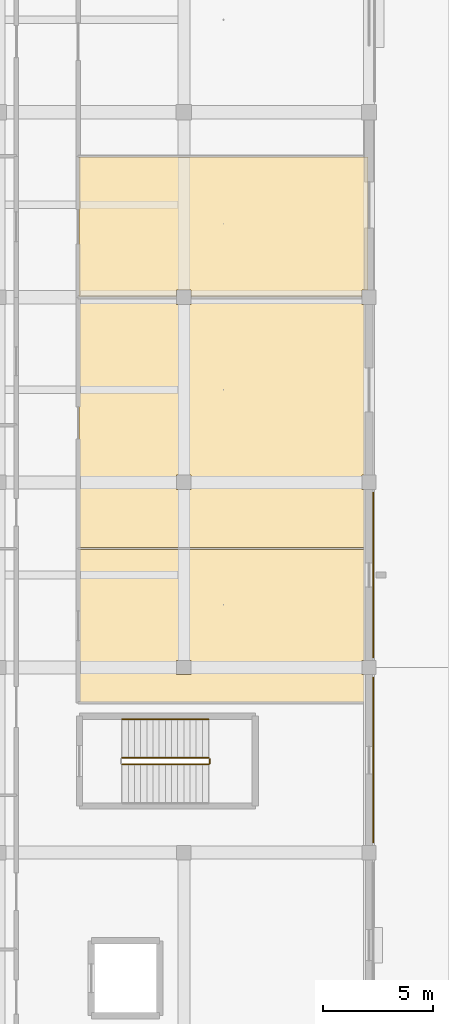
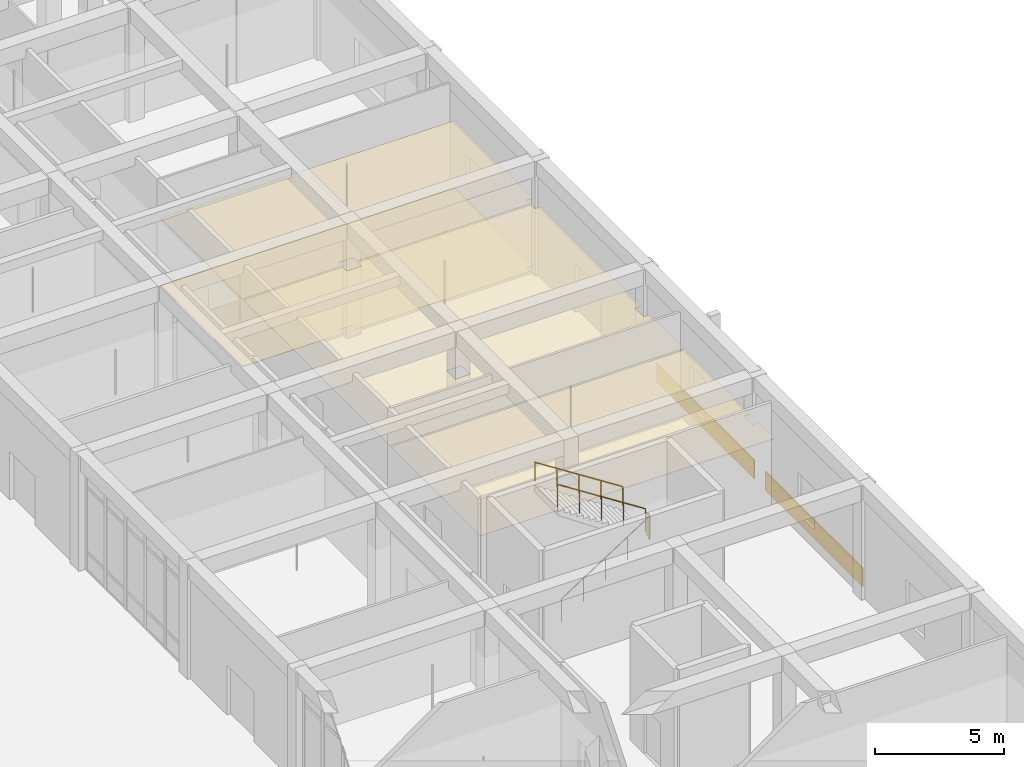
# One storey, part 164 of 167: 6 coverings, 4 railings.
"""IFC4 building model written with IfcOpenShell, lengths in metres."""

import ifcopenshell
import ifcopenshell.guid

model = None  # the IFC model being written
_history = None  # IfcOwnerHistory: only IFC2X3 demands one
_inside = {}  # id of a spatial element -> (the spatial element, [elements in it])
_under = {}  # id of a project, library or spatial element -> (it, [spatial elements below it])
_declared = {}  # id of a project -> (the project, [libraries it declares])
_typed = {}  # id of a type object -> (the type object, [elements of that type])
_made_of = {}  # id of a material, layer set ... -> (it, [elements and type objects made of it])


def new_model(schema):
    """Start an empty IFC model of exactly this schema.

    Asked for "IFC4X3", IfcOpenShell would pick the latest addendum, in which some entities
    have other attributes; the version numbers below select the first issue.
    IFC2X3 requires an IfcOwnerHistory on every rooted entity: one is made here for all.
    """
    global model, _history
    if schema == "IFC4X3":
        model = ifcopenshell.file(schema_version=(4, 3, 0, 0))
    else:
        model = ifcopenshell.file(schema=schema)
    _inside.clear()
    _under.clear()
    _declared.clear()
    _typed.clear()
    _made_of.clear()
    _history = None
    if model.schema == "IFC2X3":
        org = make("IfcOrganization", Name="unknown")
        user = make(
            "IfcPersonAndOrganization",
            ThePerson=make("IfcPerson", FamilyName="unknown"),
            TheOrganization=org,
        )
        app = make(
            "IfcApplication",
            ApplicationDeveloper=org,
            Version="unknown",
            ApplicationFullName="unknown",
            ApplicationIdentifier="unknown",
        )
        _history = make(
            "IfcOwnerHistory",
            OwningUser=user,
            OwningApplication=app,
            ChangeAction="ADDED",
            CreationDate=0,
        )
    return model


def make(cls, **values):
    """One entity of the class cls with the attributes given. An attribute that is None is left unset."""
    return model.create_entity(
        cls, **{name: value for name, value in values.items() if value is not None}
    )


def rooted(cls, **values):
    """An entity with a GlobalId (a new one), such as an element, a storey or a relation."""
    return make(cls, GlobalId=ifcopenshell.guid.new(), OwnerHistory=_history, **values)


def si_unit(unit_type, name, prefix=None):
    """IfcSIUnit, for example si_unit("LENGTHUNIT", "METRE", prefix="MILLI")."""
    return make("IfcSIUnit", UnitType=unit_type, Prefix=prefix, Name=name)


def assignment(units):
    """IfcUnitAssignment: the units of a project."""
    return None if units is None else make("IfcUnitAssignment", Units=units)


def point(xyz):
    """IfcCartesianPoint."""
    return None if xyz is None else make("IfcCartesianPoint", Coordinates=xyz)


def direction(xyz):
    """IfcDirection."""
    return None if xyz is None else make("IfcDirection", DirectionRatios=xyz)


def frame(location, z_axis=None, x_axis=None):
    """IfcAxis2Placement3D, a coordinate frame: its origin and axes. An axis left out is left unset."""
    return make(
        "IfcAxis2Placement3D",
        Location=point(location),
        Axis=direction(z_axis),
        RefDirection=direction(x_axis),
    )


def frame_2d(location, x_axis=None):
    """IfcAxis2Placement2D, a coordinate frame in the plane: its origin and x axis."""
    return make(
        "IfcAxis2Placement2D", Location=point(location), RefDirection=direction(x_axis)
    )


def origin():
    """The frame at (0, 0, 0) with its axes left unset."""
    return frame((0.0, 0.0, 0.0))


def origin_2d():
    """The frame at (0, 0) in the plane with its x axis left unset."""
    return frame_2d((0.0, 0.0))


def place(relative_to, where):
    """IfcLocalPlacement: puts the frame where relative to a parent placement (None: the world)."""
    return make(
        "IfcLocalPlacement", PlacementRelTo=relative_to, RelativePlacement=where
    )


def context(
    kind, dimensions, precision=None, world=None, true_north=None, identifier=None
):
    """IfcGeometricRepresentationContext, for example the 3D "Model" context."""
    return make(
        "IfcGeometricRepresentationContext",
        ContextIdentifier=identifier,
        ContextType=kind,
        CoordinateSpaceDimension=dimensions,
        Precision=precision,
        WorldCoordinateSystem=world,
        TrueNorth=true_north,
    )


def subcontext(parent, identifier, kind, view, scale=None):
    """IfcGeometricRepresentationSubContext, for example "Body" below "Model"."""
    return make(
        "IfcGeometricRepresentationSubContext",
        ContextIdentifier=identifier,
        ContextType=kind,
        ParentContext=parent,
        TargetScale=scale,
        TargetView=view,
    )


def project(units=None, contexts=None):
    """IfcProject with its units and contexts."""
    return rooted(
        "IfcProject",
        Name="project",
        RepresentationContexts=contexts,
        UnitsInContext=assignment(units),
    )


def spatial(cls, under=None, at=None, **own):
    """A site, building, storey or space (cls), placed at a placement, below another one or the project."""
    s = rooted(cls, ObjectPlacement=at, **own)
    if under is not None:
        _under.setdefault(under.id(), (under, []))[1].append(s)
    return s


def polyline(points):
    """IfcPolyline through the points."""
    return make("IfcPolyline", Points=[point(p) for p in points])


def profile(cls, at=None, kind="AREA", **sizes):
    """A parametric profile (cls). Its sizes go by their IFC names, for example OverallWidth=200.0."""
    return make(cls, ProfileType=kind, Position=at, **sizes)


def rectangle(**sizes):
    """IfcRectangleProfileDef."""
    return profile("IfcRectangleProfileDef", **sizes)


def circle(**sizes):
    """IfcCircleProfileDef."""
    return profile("IfcCircleProfileDef", **sizes)


def outline(outer, holes=None, kind="AREA"):
    """IfcArbitraryClosedProfileDef: a profile drawn as a closed curve; with holes, ...WithVoids."""
    if holes is None:
        return make("IfcArbitraryClosedProfileDef", ProfileType=kind, OuterCurve=outer)
    return make(
        "IfcArbitraryProfileDefWithVoids",
        ProfileType=kind,
        OuterCurve=outer,
        InnerCurves=holes,
    )


def extrude(swept, where, along, depth):
    """IfcExtrudedAreaSolid: the profile swept, set in the frame where, extruded along a direction by depth."""
    return make(
        "IfcExtrudedAreaSolid",
        SweptArea=swept,
        Position=where,
        ExtrudedDirection=direction(along),
        Depth=depth,
    )


def shape(context_of_items, identifier, shape_type, items):
    """IfcShapeRepresentation: the items that make up one representation, for example the "Body"."""
    return make(
        "IfcShapeRepresentation",
        ContextOfItems=context_of_items,
        RepresentationIdentifier=identifier,
        RepresentationType=shape_type,
        Items=items,
    )


def material(Name=None, Category=None):
    """IfcMaterial."""
    return make("IfcMaterial", Name=Name, Category=Category)


def layer(
    of_material, thickness, ventilated=None, Name=None, Category=None, Priority=None
):
    """IfcMaterialLayer: one layer of a wall or slab, of a material (None: an air gap)."""
    return make(
        "IfcMaterialLayer",
        Material=of_material,
        LayerThickness=thickness,
        IsVentilated=ventilated,
        Name=Name,
        Category=Category,
        Priority=Priority,
    )


def layer_set(layers, Name=None):
    """IfcMaterialLayerSet."""
    return make("IfcMaterialLayerSet", MaterialLayers=layers, LayerSetName=Name)


def made_of(thing, what):
    """Note that an element or type object is made of a material, layer set ...; save() writes the relation."""
    if what is not None:
        _made_of.setdefault(what.id(), (what, []))[1].append(thing)
    return thing


def type_object(cls, material=None, **own):
    """A type object (cls), such as IfcWallType, which elements share."""
    return made_of(rooted(cls, **own), material)


def element(
    cls,
    number,
    at=None,
    inside=None,
    cuts=None,
    type_object=None,
    material=None,
    context=None,
    identifier="Body",
    shape_type=None,
    held_by="IfcProductDefinitionShape",
    body=None,
    shapes=None,
    **own,
):
    """One element of the class cls, such as IfcWall. Its Tag is "e" and its number.

    at: its placement. inside: the storey or other place that contains it. cuts: it is an
    opening in that element (IfcRelVoidsElement). A single representation is given by context,
    identifier, shape_type and body (its items); several are given by shapes. held_by: the class
    of the entity that holds the representations. save() writes the other relations.
    """
    e = rooted(cls, Tag="e%d" % number, ObjectPlacement=at, **own)
    if body is not None:
        shapes = [shape(context, identifier, shape_type, body)]
    if shapes is not None:
        e.Representation = make(held_by, Representations=shapes)
    if inside is not None:
        _inside.setdefault(inside.id(), (inside, []))[1].append(e)
    if cuts is not None:
        rooted(
            "IfcRelVoidsElement", RelatingBuildingElement=cuts, RelatedOpeningElement=e
        )
    if type_object is not None:
        _typed.setdefault(type_object.id(), (type_object, []))[1].append(e)
    return made_of(e, material)


def aggregate(whole, parts):
    """IfcRelAggregates: a whole, such as a stair, and the parts it consists of."""
    return rooted("IfcRelAggregates", RelatingObject=whole, RelatedObjects=parts)


def save(model, path):
    """Write the relations noted so far, then the file.

    IfcRelAggregates (storeys below a building ...), IfcRelContainedInSpatialStructure (elements
    in a storey), IfcRelDefinesByType, IfcRelAssociatesMaterial and IfcRelDeclares: one each for
    every whole, place, type object, material and project.
    """
    for whole, parts in _under.values():
        aggregate(whole, parts)
    for where, things in _inside.values():
        rooted(
            "IfcRelContainedInSpatialStructure",
            RelatedElements=things,
            RelatingStructure=where,
        )
    for kind, things in _typed.values():
        rooted("IfcRelDefinesByType", RelatedObjects=things, RelatingType=kind)
    for what, things in _made_of.values():
        rooted("IfcRelAssociatesMaterial", RelatedObjects=things, RelatingMaterial=what)
    for by, libraries in _declared.values():
        rooted("IfcRelDeclares", RelatingContext=by, RelatedDefinitions=libraries)
    model.write(path)


model = new_model("IFC4")

# Units and contexts
model_context = context("Model", 3, precision=1e-05, world=origin(), true_north=direction((0.0, 1.0)))
body_context = subcontext(model_context, "Body", "Model", "MODEL_VIEW")
ifc_project = project(units=[si_unit("LENGTHUNIT", "METRE"), si_unit("AREAUNIT", "SQUARE_METRE"), si_unit("VOLUMEUNIT", "CUBIC_METRE"), si_unit("PLANEANGLEUNIT", "RADIAN"), si_unit("MASSUNIT", "GRAM", prefix="KILO")], contexts=[model_context])

# Site, building, storey
site_placement = place(None, origin())
site = spatial("IfcSite", under=ifc_project, at=site_placement, CompositionType="ELEMENT")
building_placement = place(site_placement, origin())
building = spatial("IfcBuilding", under=site, at=building_placement, Name="Varncliffe General Hospital", CompositionType="ELEMENT")
storey_placement = place(building_placement, origin())
storey = spatial("IfcBuildingStorey", under=building, at=storey_placement, Name="L00", CompositionType="ELEMENT", Elevation=0.0)

# Coverings
ifc_material_1 = material(Name="Hygienic antimicrobial acoustic suspended ceiling tile", Category="gypsum")
ifc_layer_1 = layer(ifc_material_1, 0.02490234375)
ifc_layer_set_1 = layer_set([ifc_layer_1], Name="Hygienic antimicrobial acoustic suspended ceiling tile")
covering_type_1 = type_object("IfcCoveringType", Name="Antimicrobial Acoustic Suspended Ceiling CLG44", PredefinedType="CEILING", material=ifc_layer_set_1)
covering_1_placement = place(storey_placement, frame((0.0, 0.0, 3.175048828125)))
element("IfcCovering", 1, at=covering_1_placement, inside=storey, type_object=covering_type_1, Name="L00 Orthopaedic Fracture Cast Clinic 104 Suspended Ceiling", PredefinedType="CEILING", context=body_context, shape_type="SweptSolid", body=[
    extrude(outline(polyline([(176.360107421875, 64.43994140625), (163.239990234375, 64.43994140625), (163.239990234375, 71.360107421875), (176.360107421875, 71.360107421875), (176.360107421875, 66.324951171875), (176.074951171875, 66.324951171875), (176.074951171875, 65.675048828125), (176.360107421875, 65.675048828125), (176.360107421875, 64.43994140625)]), holes=[polyline([(168.324951171875, 65.675048828125), (168.324951171875, 66.324951171875), (167.675048828125, 66.324951171875), (167.675048828125, 65.675048828125), (168.324951171875, 65.675048828125)])]), origin(), (0.0, 0.0, 1.0), 0.02490234375),
])
covering_2_placement = place(storey_placement, frame((0.0, 0.0, 3.175048828125)))
element("IfcCovering", 2, at=covering_2_placement, inside=storey, type_object=covering_type_1, Name="L00 Physical Rehabilitation Therapy Gym 105 Suspended Ceiling", PredefinedType="CEILING", context=body_context, shape_type="SweptSolid", body=[
    extrude(outline(polyline([(176.074951171875, 74.72509765625), (176.074951171875, 74.074951171875), (176.360107421875, 74.074951171875), (176.360107421875, 71.43994140625), (163.239990234375, 71.43994140625), (163.239990234375, 82.760009765625), (167.675048828125, 82.760009765625), (167.675048828125, 82.47509765625), (168.324951171875, 82.47509765625), (168.324951171875, 82.760009765625), (176.074951171875, 82.760009765625), (176.074951171875, 82.47509765625), (176.360107421875, 82.47509765625), (176.360107421875, 74.72509765625), (176.074951171875, 74.72509765625)]), holes=[polyline([(168.324951171875, 74.074951171875), (168.324951171875, 74.72509765625), (167.675048828125, 74.72509765625), (167.675048828125, 74.074951171875), (168.324951171875, 74.074951171875)])]), origin(), (0.0, 0.0, 1.0), 0.02490234375),
])
covering_3_placement = place(storey_placement, frame((0.0, 0.0, 3.175048828125)))
element("IfcCovering", 3, at=covering_3_placement, inside=storey, type_object=covering_type_1, Name="L00 Outpatient Phlebotomy and Pre-Admission Clinic 141 Suspended Ceiling", PredefinedType="CEILING", context=body_context, shape_type="SweptSolid", body=[
    extrude(outline(polyline([(163.239990234375, 89.159912109375), (176.360107421875, 89.159912109375), (176.360107421875, 83.125), (176.074951171875, 83.125), (176.074951171875, 82.840087890625), (168.324951171875, 82.840087890625), (168.324951171875, 83.125), (167.675048828125, 83.125), (167.675048828125, 82.840087890625), (163.239990234375, 82.840087890625), (163.239990234375, 89.159912109375)])), origin(), (0.0, 0.0, 1.0), 0.02490234375),
])
ifc_material_2 = material(Name="Credit Valley buff limestone ashlar cladding", Category="masonry")
ifc_layer_2 = layer(ifc_material_2, 0.050048828125)
ifc_layer_set_2 = layer_set([ifc_layer_2], Name="Credit Valley buff limestone ashlar cladding")
covering_type_2 = type_object("IfcCoveringType", Name="Credit Valley Limestone Ashlar Plinth Cladding CLD17", PredefinedType="CLADDING", material=ifc_layer_set_2)
for number, where, z_axis, x_axis, name in (
    (4, (176.60009765625, 70.199951171875, 0.010009765625), (0.0, 0.0, 1.0), (0.0, -1.0, 0.0), "L00 Limestone Base Cladding 27"),
    (5, (176.590087890625, 61.800048828125, 0.010009765625), (0.0, 0.0, 1.0), (0.0, -1.0, 0.0), "L00 Limestone Base Cladding 28"),
):
    element("IfcCovering", number, at=place(storey_placement, frame(where, z_axis=z_axis, x_axis=x_axis)), inside=storey, type_object=covering_type_2, Name=name, PredefinedType="CLADDING", context=body_context, shape_type="SweptSolid", body=[
        extrude(rectangle(XDim=7.513916015625, YDim=0.050048828125, at=origin_2d()), origin(), (0.0, 0.0, 1.0), 0.8798828125),
    ])
ifc_material_3 = material(Name="Seamless welded hospital sheet linoleum and terrazzo flooring", Category="linoleum")
ifc_layer_3 = layer(ifc_material_3, 0.011962890625)
ifc_layer_set_3 = layer_set([ifc_layer_3], Name="Seamless welded hospital sheet linoleum and terrazzo flooring")
covering_type_3 = type_object("IfcCoveringType", Name="Seamless Hospital Linoleum Flooring FLR19", PredefinedType="FLOORING", material=ifc_layer_set_3)
covering_4_placement = place(storey_placement, origin())
element("IfcCovering", 6, at=covering_4_placement, inside=storey, type_object=covering_type_3, Name="L00 Outpatient Phlebotomy and Pre-Admission Clinic 141 Seamless Flooring", PredefinedType="FLOORING", context=body_context, shape_type="SweptSolid", body=[
    extrude(outline(polyline([(163.239990234375, 89.159912109375), (176.360107421875, 89.159912109375), (176.360107421875, 83.125), (176.074951171875, 83.125), (176.074951171875, 82.840087890625), (168.324951171875, 82.840087890625), (168.324951171875, 83.125), (167.675048828125, 83.125), (167.675048828125, 82.840087890625), (163.239990234375, 82.840087890625), (163.239990234375, 89.159912109375)])), origin(), (0.0, 0.0, 1.0), 0.011962890625),
])

# Railings
ifc_material_4 = material(Name="Powder-coated hospital steel guardrail and handrail", Category="steel")
railing_type_1 = type_object("IfcRailingType", Name="Stair and Ramp Handrail HR46", PredefinedType="HANDRAIL", material=ifc_material_4)
railing_1_placement = place(storey_placement, frame((169.1201171875, 63.64990234375, 3.06396484375)))
element("IfcRailing", 7, at=railing_1_placement, inside=storey, type_object=railing_type_1, Name="L00 ST07 stair handrail 2", PredefinedType="HANDRAIL", context=body_context, shape_type="SweptSolid", body=[
    extrude(circle(Radius=0.02392578125, at=origin_2d()), frame((0.0, 0.0, 0.8759765625), z_axis=(-0.841186985886, 0.0, 0.540744352514), x_axis=(0.0, -1.0, 0.0)), (0.0, 0.0, 1.0), 4.660400390625),
    extrude(circle(Radius=0.02099609375, at=origin_2d()), origin(), (0.0, 0.0, 1.0), 0.851806640625),
    extrude(circle(Radius=0.02099609375, at=origin_2d()), frame((-0.97998046875, 0.0, 0.6298828125)), (0.0, 0.0, 1.0), 0.851806640625),
    extrude(circle(Radius=0.02099609375, at=origin_2d()), frame((-1.9599609375, 0.0, 1.260009765625)), (0.0, 0.0, 1.0), 0.851806640625),
    extrude(circle(Radius=0.02099609375, at=origin_2d()), frame((-2.940185546875, 0.0, 1.89013671875)), (0.0, 0.0, 1.0), 0.851806640625),
    extrude(circle(Radius=0.02099609375, at=origin_2d()), frame((-3.920166015625, 0.0, 2.52001953125)), (0.0, 0.0, 1.0), 0.851806640625),
])
railing_type_2 = type_object("IfcRailingType", Name="Stairwell Guardrail SG49", PredefinedType="GUARDRAIL", material=ifc_material_4)
railing_2_placement = place(storey_placement, frame((165.199951171875, 61.60009765625, 0.179931640625)))
element("IfcRailing", 8, at=railing_2_placement, inside=storey, type_object=railing_type_2, Name="L00 ST07 stair guard 1", PredefinedType="GUARDRAIL", context=body_context, shape_type="SweptSolid", body=[
    extrude(circle(Radius=0.02392578125, at=origin_2d()), frame((0.0, 0.0, 1.076171875), z_axis=(0.841186985886, 0.0, 0.540744352514), x_axis=(0.0, 1.0, 0.0)), (0.0, 0.0, 1.0), 4.660400390625),
    extrude(circle(Radius=0.02099609375, at=origin_2d()), origin(), (0.0, 0.0, 1.0), 1.052001953125),
    extrude(circle(Radius=0.02099609375, at=origin_2d()), frame((0.97998046875, 0.0, 0.6298828125)), (0.0, 0.0, 1.0), 1.052001953125),
    extrude(circle(Radius=0.02099609375, at=origin_2d()), frame((1.9599609375, 0.0, 1.260009765625)), (0.0, 0.0, 1.0), 1.052001953125),
    extrude(circle(Radius=0.02099609375, at=origin_2d()), frame((2.940185546875, 0.0, 1.89013671875)), (0.0, 0.0, 1.0), 1.052001953125),
    extrude(circle(Radius=0.02099609375, at=origin_2d()), frame((3.920166015625, 0.0, 2.52001953125)), (0.0, 0.0, 1.0), 1.052001953125),
])
railing_3_placement = place(storey_placement, frame((169.169921875, 61.64990234375, 2.699951171875)))
element("IfcRailing", 9, at=railing_3_placement, inside=storey, type_object=railing_type_2, Name="L00 ST07 stair guard 2", PredefinedType="GUARDRAIL", context=body_context, shape_type="SweptSolid", body=[
    extrude(circle(Radius=0.02392578125, at=origin_2d()), frame((0.0, 0.0, 1.076171875), z_axis=(0.0, 1.0, 0.0), x_axis=(-1.0, 0.0, 0.0)), (0.0, 0.0, 1.0), 0.2001953125),
    extrude(circle(Radius=0.02099609375, at=origin_2d()), origin(), (0.0, 0.0, 1.0), 1.052001953125),
    extrude(circle(Radius=0.02099609375, at=origin_2d()), frame((0.0, 0.2001953125, 0.0)), (0.0, 0.0, 1.0), 1.052001953125),
])
railing_4_placement = place(storey_placement, frame((169.1201171875, 61.89990234375, 2.8798828125)))
element("IfcRailing", 10, at=railing_4_placement, inside=storey, type_object=railing_type_2, Name="L00 ST07 stair guard 3", PredefinedType="GUARDRAIL", context=body_context, shape_type="SweptSolid", body=[
    extrude(circle(Radius=0.02392578125, at=origin_2d()), frame((0.0, 0.0, 1.076171875), z_axis=(-0.841186985886, 0.0, 0.540744352514), x_axis=(0.0, -1.0, 0.0)), (0.0, 0.0, 1.0), 4.660400390625),
    extrude(circle(Radius=0.02099609375, at=origin_2d()), origin(), (0.0, 0.0, 1.0), 1.052001953125),
    extrude(circle(Radius=0.02099609375, at=origin_2d()), frame((-0.97998046875, 0.0, 0.6298828125)), (0.0, 0.0, 1.0), 1.052001953125),
    extrude(circle(Radius=0.02099609375, at=origin_2d()), frame((-1.9599609375, 0.0, 1.260009765625)), (0.0, 0.0, 1.0), 1.052001953125),
    extrude(circle(Radius=0.02099609375, at=origin_2d()), frame((-2.940185546875, 0.0, 1.89013671875)), (0.0, 0.0, 1.0), 1.052001953125),
    extrude(circle(Radius=0.02099609375, at=origin_2d()), frame((-3.920166015625, 0.0, 2.52001953125)), (0.0, 0.0, 1.0), 1.052001953125),
])

save(model, "model.ifc")
